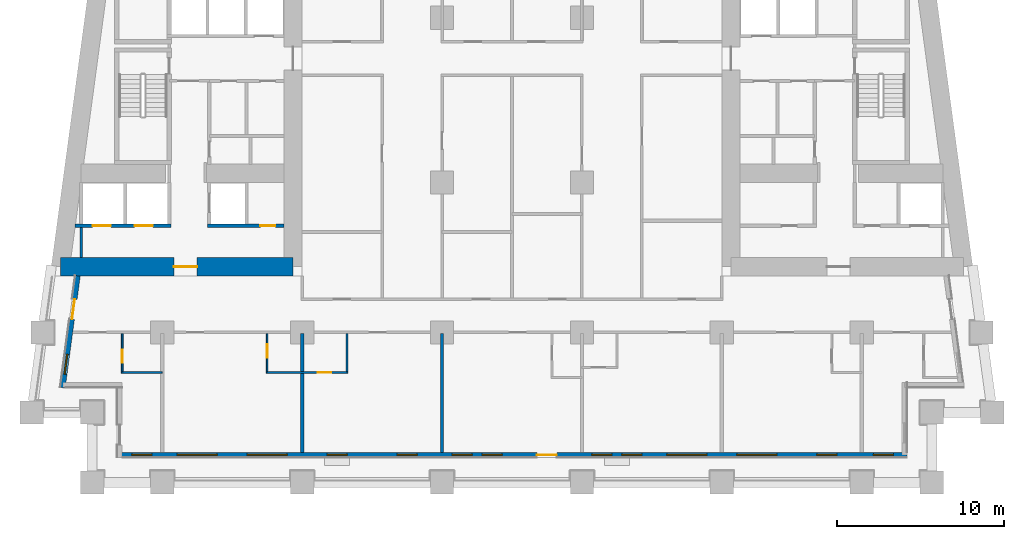
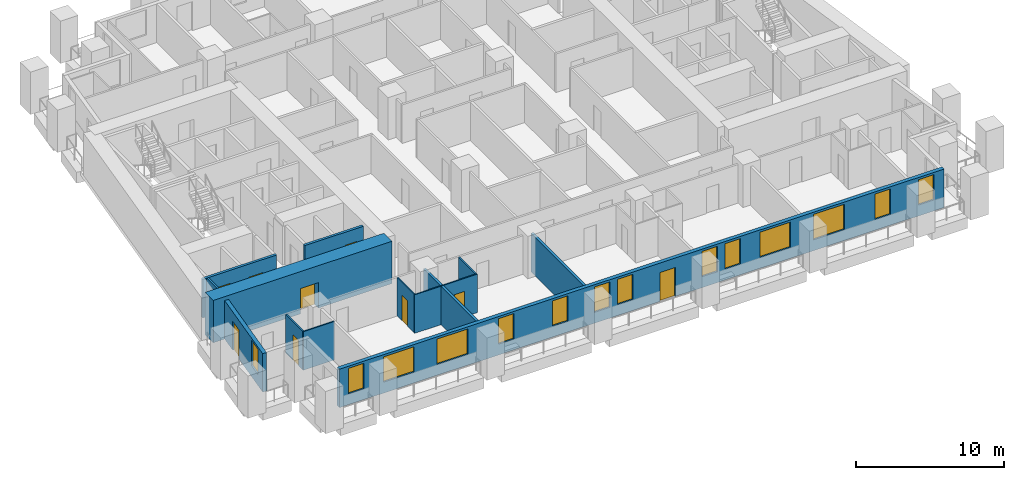
# One storey, part 2 of 13: 14 windows, 13 walls, 9 doors, 23 openings.
"""IFC4 building model written with IfcOpenShell, lengths in metres."""

from ifc_helpers import new_model, si_unit, direction, frame, frame_2d, origin, place, context, subcontext, project, spatial, rectangle, extrude, material, layer, layer_set, type_object, element, fill, save


model = new_model("IFC4")

# Units and contexts
model_context = context("Model", 3, precision=1e-05, world=origin(), true_north=direction((0.0, 1.0)))
body_context = subcontext(model_context, "Body", "Model", "MODEL_VIEW")
ifc_project = project(units=[si_unit("LENGTHUNIT", "METRE"), si_unit("AREAUNIT", "SQUARE_METRE"), si_unit("VOLUMEUNIT", "CUBIC_METRE"), si_unit("PLANEANGLEUNIT", "RADIAN"), si_unit("MASSUNIT", "GRAM", prefix="KILO")], contexts=[model_context])

# Site, building, storey
site_placement = place(None, origin())
site = spatial("IfcSite", under=ifc_project, at=site_placement, CompositionType="ELEMENT")
building_placement = place(site_placement, origin())
building = spatial("IfcBuilding", under=site, at=building_placement, Name="Candeia Pilgrim Tower and Theatre", CompositionType="ELEMENT")
storey_placement = place(building_placement, frame((0.0, 0.0, 60.0)))
storey = spatial("IfcBuildingStorey", under=building, at=storey_placement, Name="L12", CompositionType="ELEMENT", Elevation=60.0)

# Wall, opening, door
ifc_material_1 = material(Name="Concrete C80/95", Category="concrete")
ifc_layer_1 = layer(ifc_material_1, 1.10009765625)
ifc_layer_set_1 = layer_set([ifc_layer_1], Name="Core wall 1100 C80/95")
wall_type_1 = type_object("IfcWallType", Name="Core wall 1100 C80/95", PredefinedType="SHEAR", material=ifc_layer_set_1)
wall_1_placement = place(storey_placement, frame((100.25, 110.949951171875, 0.0), z_axis=(0.0, 0.0, 1.0), x_axis=(-1.0, 0.0, 0.0)))
wall_1 = element("IfcWall", 1, at=wall_1_placement, inside=storey, type_object=wall_type_1, Name="Core wall W3", PredefinedType="SHEAR", context=body_context, shape_type="SweptSolid", body=[
    extrude(rectangle(XDim=13.95166015625, YDim=1.10009765625, at=frame_2d((6.975830078125, 0.0))), origin(), (0.0, 0.0, 1.0), 3.5),
])
opening_1_placement = place(wall_1_placement, frame((5.74755859375, 0.0, 0.0)))
opening_1 = element("IfcOpeningElement", 2, at=opening_1_placement, cuts=wall_1, Name="Opening L12-D057", PredefinedType="OPENING", context=body_context, shape_type="SweptSolid", body=[
    extrude(rectangle(XDim=1.39990234375, YDim=2.10009765625, at=frame_2d((0.699951171875, 1.050048828125))), frame((0.0, 0.56005859375, 0.0), z_axis=(0.0, -1.0, 0.0), x_axis=(1.0, 0.0, 0.0)), (0.0, 0.0, 1.0), 1.1201171875),
])
ifc_material_2 = material(Name="Steel fire door set", Category="steel")
door_type_1 = type_object("IfcDoorType", Name="D-1400-FD60", OperationType="NOTDEFINED", PredefinedType="DOOR", material=ifc_material_2)
door_1_placement = place(opening_1_placement, origin())
door_1 = element("IfcDoor", 3, at=door_1_placement, inside=storey, type_object=door_type_1, Name="Door L12-D057", OperationType="SINGLE_SWING_LEFT", OverallHeight=2.10009765625, OverallWidth=1.39990234375, PredefinedType="DOOR", context=body_context, shape_type="SweptSolid", body=[
    extrude(rectangle(XDim=1.39990234375, YDim=2.10009765625, at=frame_2d((0.699951171875, 1.050048828125))), frame((0.0, 0.02490234375, 0.0), z_axis=(0.0, -1.0, 0.0), x_axis=(1.0, 0.0, 0.0)), (0.0, 0.0, 1.0), 0.050048828125),
])
fill(opening_1, door_1)

# Wall, openings, door, windows
ifc_material_3 = material(Name="Ceramic block masonry", Category="masonry")
ifc_layer_2 = layer(ifc_material_3, 0.300048828125)
ifc_layer_set_2 = layer_set([ifc_layer_2], Name="EW1 glazing-line wall 300")
wall_type_2 = type_object("IfcWallType", Name="EW1 glazing-line wall 300", PredefinedType="SOLIDWALL", material=ifc_layer_set_2)
wall_2_placement = place(storey_placement, frame((89.85009765625, 99.64990234375, 0.0), z_axis=(0.0, 0.0, 1.0), x_axis=(1.0, 0.0, 0.0)))
wall_2 = element("IfcWall", 4, at=wall_2_placement, inside=storey, type_object=wall_type_2, Name="External wall L12-0.0", PredefinedType="SOLIDWALL", context=body_context, shape_type="SweptSolid", body=[
    extrude(rectangle(XDim=47.25, YDim=0.300048828125, at=frame_2d((23.625, 0.0))), origin(), (0.0, 0.0, 1.0), 3.179931640625),
])
opening_2_placement = place(wall_2_placement, frame((0.72509765625, 0.0, 0.89990234375)))
opening_2 = element("IfcOpeningElement", 5, at=opening_2_placement, cuts=wall_2, Name="Opening W-B", PredefinedType="OPENING", context=body_context, shape_type="SweptSolid", body=[
    extrude(rectangle(XDim=1.199951171875, YDim=2.10009765625, at=frame_2d((0.60009765625, 1.050048828125))), frame((0.0, 0.16015625, 0.0), z_axis=(0.0, -1.0, 0.0), x_axis=(1.0, 0.0, 0.0)), (0.0, 0.0, 1.0), 0.320068359375),
])
opening_3_placement = place(wall_2_placement, frame((3.449951171875, 0.0, 0.89990234375)))
opening_3 = element("IfcOpeningElement", 6, at=opening_3_placement, cuts=wall_2, Name="Opening W-A", PredefinedType="OPENING", context=body_context, shape_type="SweptSolid", body=[
    extrude(rectangle(XDim=2.39990234375, YDim=2.10009765625, at=frame_2d((1.199951171875, 1.050048828125))), frame((0.0, 0.16015625, 0.0), z_axis=(0.0, -1.0, 0.0), x_axis=(1.0, 0.0, 0.0)), (0.0, 0.0, 1.0), 0.320068359375),
])
opening_4_placement = place(wall_2_placement, frame((7.64990234375, 0.0, 0.89990234375)))
opening_4 = element("IfcOpeningElement", 7, at=opening_4_placement, cuts=wall_2, Name="Opening W-A", PredefinedType="OPENING", context=body_context, shape_type="SweptSolid", body=[
    extrude(rectangle(XDim=2.39990234375, YDim=2.10009765625, at=frame_2d((1.199951171875, 1.050048828125))), frame((0.0, 0.16015625, 0.0), z_axis=(0.0, -1.0, 0.0), x_axis=(1.0, 0.0, 0.0)), (0.0, 0.0, 1.0), 0.320068359375),
])
opening_5_placement = place(wall_2_placement, frame((12.449951171875, 0.0, 0.89990234375)))
opening_5 = element("IfcOpeningElement", 8, at=opening_5_placement, cuts=wall_2, Name="Opening W-B", PredefinedType="OPENING", context=body_context, shape_type="SweptSolid", body=[
    extrude(rectangle(XDim=1.199951171875, YDim=2.10009765625, at=frame_2d((0.60009765625, 1.050048828125))), frame((0.0, 0.16015625, 0.0), z_axis=(0.0, -1.0, 0.0), x_axis=(1.0, 0.0, 0.0)), (0.0, 0.0, 1.0), 0.320068359375),
])
opening_6_placement = place(wall_2_placement, frame((16.64990234375, 0.0, 0.89990234375)))
opening_6 = element("IfcOpeningElement", 9, at=opening_6_placement, cuts=wall_2, Name="Opening W-B", PredefinedType="OPENING", context=body_context, shape_type="SweptSolid", body=[
    extrude(rectangle(XDim=1.199951171875, YDim=2.10009765625, at=frame_2d((0.60009765625, 1.050048828125))), frame((0.0, 0.16015625, 0.0), z_axis=(0.0, -1.0, 0.0), x_axis=(1.0, 0.0, 0.0)), (0.0, 0.0, 1.0), 0.320068359375),
])
opening_7_placement = place(wall_2_placement, frame((19.949951171875, 0.0, 0.89990234375)))
opening_7 = element("IfcOpeningElement", 10, at=opening_7_placement, cuts=wall_2, Name="Opening W-B", PredefinedType="OPENING", context=body_context, shape_type="SweptSolid", body=[
    extrude(rectangle(XDim=1.199951171875, YDim=2.10009765625, at=frame_2d((0.60009765625, 1.050048828125))), frame((0.0, 0.16015625, 0.0), z_axis=(0.0, -1.0, 0.0), x_axis=(1.0, 0.0, 0.0)), (0.0, 0.0, 1.0), 0.320068359375),
])
opening_8_placement = place(wall_2_placement, frame((21.75, 0.0, 0.89990234375)))
opening_8 = element("IfcOpeningElement", 11, at=opening_8_placement, cuts=wall_2, Name="Opening W-B", PredefinedType="OPENING", context=body_context, shape_type="SweptSolid", body=[
    extrude(rectangle(XDim=1.199951171875, YDim=2.10009765625, at=frame_2d((0.60009765625, 1.050048828125))), frame((0.0, 0.16015625, 0.0), z_axis=(0.0, -1.0, 0.0), x_axis=(1.0, 0.0, 0.0)), (0.0, 0.0, 1.0), 0.320068359375),
])
opening_9_placement = place(wall_2_placement, frame((25.050048828125, 0.0, 0.0)))
opening_9 = element("IfcOpeningElement", 12, at=opening_9_placement, cuts=wall_2, Name="Opening L12-ED138", PredefinedType="OPENING", context=body_context, shape_type="SweptSolid", body=[
    extrude(rectangle(XDim=1.199951171875, YDim=2.39990234375, at=frame_2d((0.60009765625, 1.199951171875))), frame((0.0, 0.16015625, 0.0), z_axis=(0.0, -1.0, 0.0), x_axis=(1.0, 0.0, 0.0)), (0.0, 0.0, 1.0), 0.320068359375),
])
opening_10_placement = place(wall_2_placement, frame((28.35009765625, 0.0, 0.89990234375)))
opening_10 = element("IfcOpeningElement", 13, at=opening_10_placement, cuts=wall_2, Name="Opening W-B", PredefinedType="OPENING", context=body_context, shape_type="SweptSolid", body=[
    extrude(rectangle(XDim=1.199951171875, YDim=2.10009765625, at=frame_2d((0.60009765625, 1.050048828125))), frame((0.0, 0.16015625, 0.0), z_axis=(0.0, -1.0, 0.0), x_axis=(1.0, 0.0, 0.0)), (0.0, 0.0, 1.0), 0.320068359375),
])
opening_11_placement = place(wall_2_placement, frame((30.14990234375, 0.0, 0.89990234375)))
opening_11 = element("IfcOpeningElement", 14, at=opening_11_placement, cuts=wall_2, Name="Opening W-B", PredefinedType="OPENING", context=body_context, shape_type="SweptSolid", body=[
    extrude(rectangle(XDim=1.199951171875, YDim=2.10009765625, at=frame_2d((0.60009765625, 1.050048828125))), frame((0.0, 0.16015625, 0.0), z_axis=(0.0, -1.0, 0.0), x_axis=(1.0, 0.0, 0.0)), (0.0, 0.0, 1.0), 0.320068359375),
])
opening_12_placement = place(wall_2_placement, frame((32.85009765625, 0.0, 0.89990234375)))
opening_12 = element("IfcOpeningElement", 15, at=opening_12_placement, cuts=wall_2, Name="Opening W-A", PredefinedType="OPENING", context=body_context, shape_type="SweptSolid", body=[
    extrude(rectangle(XDim=2.39990234375, YDim=2.10009765625, at=frame_2d((1.199951171875, 1.050048828125))), frame((0.0, 0.16015625, 0.0), z_axis=(0.0, -1.0, 0.0), x_axis=(1.0, 0.0, 0.0)), (0.0, 0.0, 1.0), 0.320068359375),
])
opening_13_placement = place(wall_2_placement, frame((37.050048828125, 0.0, 0.89990234375)))
opening_13 = element("IfcOpeningElement", 16, at=opening_13_placement, cuts=wall_2, Name="Opening W-A", PredefinedType="OPENING", context=body_context, shape_type="SweptSolid", body=[
    extrude(rectangle(XDim=2.39990234375, YDim=2.10009765625, at=frame_2d((1.199951171875, 1.050048828125))), frame((0.0, 0.16015625, 0.0), z_axis=(0.0, -1.0, 0.0), x_axis=(1.0, 0.0, 0.0)), (0.0, 0.0, 1.0), 0.320068359375),
])
opening_14_placement = place(wall_2_placement, frame((41.85009765625, 0.0, 0.89990234375)))
opening_14 = element("IfcOpeningElement", 17, at=opening_14_placement, cuts=wall_2, Name="Opening W-B", PredefinedType="OPENING", context=body_context, shape_type="SweptSolid", body=[
    extrude(rectangle(XDim=1.199951171875, YDim=2.10009765625, at=frame_2d((0.60009765625, 1.050048828125))), frame((0.0, 0.16015625, 0.0), z_axis=(0.0, -1.0, 0.0), x_axis=(1.0, 0.0, 0.0)), (0.0, 0.0, 1.0), 0.320068359375),
])
opening_15_placement = place(wall_2_placement, frame((45.25, 0.0, 0.89990234375)))
opening_15 = element("IfcOpeningElement", 18, at=opening_15_placement, cuts=wall_2, Name="Opening W-B", PredefinedType="OPENING", context=body_context, shape_type="SweptSolid", body=[
    extrude(rectangle(XDim=1.199951171875, YDim=2.10009765625, at=frame_2d((0.60009765625, 1.050048828125))), frame((0.0, 0.16015625, 0.0), z_axis=(0.0, -1.0, 0.0), x_axis=(1.0, 0.0, 0.0)), (0.0, 0.0, 1.0), 0.320068359375),
])
ifc_material_4 = material(Name="Aluminium framed glazed door", Category="aluminium")
door_type_2 = type_object("IfcDoorType", Name="Loggia door 1200x2400", OperationType="DOUBLE_DOOR_SINGLE_SWING", PredefinedType="DOOR", material=ifc_material_4)
door_2_placement = place(opening_9_placement, origin())
door_2 = element("IfcDoor", 19, at=door_2_placement, inside=storey, type_object=door_type_2, Name="Loggia door L12-ED138", OperationType="DOUBLE_DOOR_SINGLE_SWING", OverallHeight=2.39990234375, OverallWidth=1.199951171875, PredefinedType="DOOR", context=body_context, shape_type="SweptSolid", body=[
    extrude(rectangle(XDim=1.199951171875, YDim=2.39990234375, at=frame_2d((0.60009765625, 1.199951171875))), frame((0.0, 0.02490234375, 0.0), z_axis=(0.0, -1.0, 0.0), x_axis=(1.0, 0.0, 0.0)), (0.0, 0.0, 1.0), 0.050048828125),
])
fill(opening_9, door_2)
ifc_material_5 = material(Name="Aluminium framed double glazing", Category="aluminium")
window_type_1 = type_object("IfcWindowType", Name="W-A window 2400x2100", PartitioningType="DOUBLE_PANEL_VERTICAL", PredefinedType="WINDOW", material=ifc_material_5)
window_1_placement = place(opening_3_placement, origin())
window_1 = element("IfcWindow", 20, at=window_1_placement, inside=storey, type_object=window_type_1, Name="Window W-A L12", OverallHeight=2.10009765625, OverallWidth=2.39990234375, PartitioningType="SINGLE_PANEL", PredefinedType="WINDOW", context=body_context, shape_type="SweptSolid", body=[
    extrude(rectangle(XDim=2.39990234375, YDim=2.10009765625, at=frame_2d((1.199951171875, 1.050048828125))), frame((0.0, 0.030029296875, 0.0), z_axis=(0.0, -1.0, 0.0), x_axis=(1.0, 0.0, 0.0)), (0.0, 0.0, 1.0), 0.06005859375),
])
fill(opening_3, window_1)
window_2_placement = place(opening_4_placement, origin())
window_2 = element("IfcWindow", 21, at=window_2_placement, inside=storey, type_object=window_type_1, Name="Window W-A L12", OverallHeight=2.10009765625, OverallWidth=2.39990234375, PartitioningType="SINGLE_PANEL", PredefinedType="WINDOW", context=body_context, shape_type="SweptSolid", body=[
    extrude(rectangle(XDim=2.39990234375, YDim=2.10009765625, at=frame_2d((1.199951171875, 1.050048828125))), frame((0.0, 0.030029296875, 0.0), z_axis=(0.0, -1.0, 0.0), x_axis=(1.0, 0.0, 0.0)), (0.0, 0.0, 1.0), 0.06005859375),
])
fill(opening_4, window_2)
window_3_placement = place(opening_12_placement, origin())
window_3 = element("IfcWindow", 22, at=window_3_placement, inside=storey, type_object=window_type_1, Name="Window W-A L12", OverallHeight=2.10009765625, OverallWidth=2.39990234375, PartitioningType="SINGLE_PANEL", PredefinedType="WINDOW", context=body_context, shape_type="SweptSolid", body=[
    extrude(rectangle(XDim=2.39990234375, YDim=2.10009765625, at=frame_2d((1.199951171875, 1.050048828125))), frame((0.0, 0.030029296875, 0.0), z_axis=(0.0, -1.0, 0.0), x_axis=(1.0, 0.0, 0.0)), (0.0, 0.0, 1.0), 0.06005859375),
])
fill(opening_12, window_3)
window_4_placement = place(opening_13_placement, origin())
window_4 = element("IfcWindow", 23, at=window_4_placement, inside=storey, type_object=window_type_1, Name="Window W-A L12", OverallHeight=2.10009765625, OverallWidth=2.39990234375, PartitioningType="SINGLE_PANEL", PredefinedType="WINDOW", context=body_context, shape_type="SweptSolid", body=[
    extrude(rectangle(XDim=2.39990234375, YDim=2.10009765625, at=frame_2d((1.199951171875, 1.050048828125))), frame((0.0, 0.030029296875, 0.0), z_axis=(0.0, -1.0, 0.0), x_axis=(1.0, 0.0, 0.0)), (0.0, 0.0, 1.0), 0.06005859375),
])
fill(opening_13, window_4)
window_type_2 = type_object("IfcWindowType", Name="W-B window 1200x2100", PartitioningType="SINGLE_PANEL", PredefinedType="WINDOW", material=ifc_material_5)
window_5_placement = place(opening_2_placement, origin())
window_5 = element("IfcWindow", 24, at=window_5_placement, inside=storey, type_object=window_type_2, Name="Window W-B L12", OverallHeight=2.10009765625, OverallWidth=1.199951171875, PartitioningType="SINGLE_PANEL", PredefinedType="WINDOW", context=body_context, shape_type="SweptSolid", body=[
    extrude(rectangle(XDim=1.199951171875, YDim=2.10009765625, at=frame_2d((0.60009765625, 1.050048828125))), frame((0.0, 0.030029296875, 0.0), z_axis=(0.0, -1.0, 0.0), x_axis=(1.0, 0.0, 0.0)), (0.0, 0.0, 1.0), 0.06005859375),
])
fill(opening_2, window_5)
window_6_placement = place(opening_5_placement, origin())
window_6 = element("IfcWindow", 25, at=window_6_placement, inside=storey, type_object=window_type_2, Name="Window W-B L12", OverallHeight=2.10009765625, OverallWidth=1.199951171875, PartitioningType="SINGLE_PANEL", PredefinedType="WINDOW", context=body_context, shape_type="SweptSolid", body=[
    extrude(rectangle(XDim=1.199951171875, YDim=2.10009765625, at=frame_2d((0.60009765625, 1.050048828125))), frame((0.0, 0.030029296875, 0.0), z_axis=(0.0, -1.0, 0.0), x_axis=(1.0, 0.0, 0.0)), (0.0, 0.0, 1.0), 0.06005859375),
])
fill(opening_5, window_6)
window_7_placement = place(opening_6_placement, origin())
window_7 = element("IfcWindow", 26, at=window_7_placement, inside=storey, type_object=window_type_2, Name="Window W-B L12", OverallHeight=2.10009765625, OverallWidth=1.199951171875, PartitioningType="SINGLE_PANEL", PredefinedType="WINDOW", context=body_context, shape_type="SweptSolid", body=[
    extrude(rectangle(XDim=1.199951171875, YDim=2.10009765625, at=frame_2d((0.60009765625, 1.050048828125))), frame((0.0, 0.030029296875, 0.0), z_axis=(0.0, -1.0, 0.0), x_axis=(1.0, 0.0, 0.0)), (0.0, 0.0, 1.0), 0.06005859375),
])
fill(opening_6, window_7)
window_8_placement = place(opening_7_placement, origin())
window_8 = element("IfcWindow", 27, at=window_8_placement, inside=storey, type_object=window_type_2, Name="Window W-B L12", OverallHeight=2.10009765625, OverallWidth=1.199951171875, PartitioningType="SINGLE_PANEL", PredefinedType="WINDOW", context=body_context, shape_type="SweptSolid", body=[
    extrude(rectangle(XDim=1.199951171875, YDim=2.10009765625, at=frame_2d((0.60009765625, 1.050048828125))), frame((0.0, 0.030029296875, 0.0), z_axis=(0.0, -1.0, 0.0), x_axis=(1.0, 0.0, 0.0)), (0.0, 0.0, 1.0), 0.06005859375),
])
fill(opening_7, window_8)
window_9_placement = place(opening_8_placement, origin())
window_9 = element("IfcWindow", 28, at=window_9_placement, inside=storey, type_object=window_type_2, Name="Window W-B L12", OverallHeight=2.10009765625, OverallWidth=1.199951171875, PartitioningType="SINGLE_PANEL", PredefinedType="WINDOW", context=body_context, shape_type="SweptSolid", body=[
    extrude(rectangle(XDim=1.199951171875, YDim=2.10009765625, at=frame_2d((0.60009765625, 1.050048828125))), frame((0.0, 0.030029296875, 0.0), z_axis=(0.0, -1.0, 0.0), x_axis=(1.0, 0.0, 0.0)), (0.0, 0.0, 1.0), 0.06005859375),
])
fill(opening_8, window_9)
window_10_placement = place(opening_10_placement, origin())
window_10 = element("IfcWindow", 29, at=window_10_placement, inside=storey, type_object=window_type_2, Name="Window W-B L12", OverallHeight=2.10009765625, OverallWidth=1.199951171875, PartitioningType="SINGLE_PANEL", PredefinedType="WINDOW", context=body_context, shape_type="SweptSolid", body=[
    extrude(rectangle(XDim=1.199951171875, YDim=2.10009765625, at=frame_2d((0.60009765625, 1.050048828125))), frame((0.0, 0.030029296875, 0.0), z_axis=(0.0, -1.0, 0.0), x_axis=(1.0, 0.0, 0.0)), (0.0, 0.0, 1.0), 0.06005859375),
])
fill(opening_10, window_10)
window_11_placement = place(opening_11_placement, origin())
window_11 = element("IfcWindow", 30, at=window_11_placement, inside=storey, type_object=window_type_2, Name="Window W-B L12", OverallHeight=2.10009765625, OverallWidth=1.199951171875, PartitioningType="SINGLE_PANEL", PredefinedType="WINDOW", context=body_context, shape_type="SweptSolid", body=[
    extrude(rectangle(XDim=1.199951171875, YDim=2.10009765625, at=frame_2d((0.60009765625, 1.050048828125))), frame((0.0, 0.030029296875, 0.0), z_axis=(0.0, -1.0, 0.0), x_axis=(1.0, 0.0, 0.0)), (0.0, 0.0, 1.0), 0.06005859375),
])
fill(opening_11, window_11)
window_12_placement = place(opening_14_placement, origin())
window_12 = element("IfcWindow", 31, at=window_12_placement, inside=storey, type_object=window_type_2, Name="Window W-B L12", OverallHeight=2.10009765625, OverallWidth=1.199951171875, PartitioningType="SINGLE_PANEL", PredefinedType="WINDOW", context=body_context, shape_type="SweptSolid", body=[
    extrude(rectangle(XDim=1.199951171875, YDim=2.10009765625, at=frame_2d((0.60009765625, 1.050048828125))), frame((0.0, 0.030029296875, 0.0), z_axis=(0.0, -1.0, 0.0), x_axis=(1.0, 0.0, 0.0)), (0.0, 0.0, 1.0), 0.06005859375),
])
fill(opening_14, window_12)
window_13_placement = place(opening_15_placement, origin())
window_13 = element("IfcWindow", 32, at=window_13_placement, inside=storey, type_object=window_type_2, Name="Window W-B L12", OverallHeight=2.10009765625, OverallWidth=1.199951171875, PartitioningType="SINGLE_PANEL", PredefinedType="WINDOW", context=body_context, shape_type="SweptSolid", body=[
    extrude(rectangle(XDim=1.199951171875, YDim=2.10009765625, at=frame_2d((0.60009765625, 1.050048828125))), frame((0.0, 0.030029296875, 0.0), z_axis=(0.0, -1.0, 0.0), x_axis=(1.0, 0.0, 0.0)), (0.0, 0.0, 1.0), 0.06005859375),
])
fill(opening_15, window_13)

# Wall, openings, door, window
wall_3_placement = place(storey_placement, frame((87.334228515625, 110.39990234375, 0.0), z_axis=(0.0, 0.0, 1.0), x_axis=(-0.133437175554, -0.991057273915, 0.0)))
wall_3 = element("IfcWall", 33, at=wall_3_placement, inside=storey, type_object=wall_type_2, Name="External wall L12-9.1", PredefinedType="SOLIDWALL", context=body_context, shape_type="SweptSolid", body=[
    extrude(rectangle(XDim=6.780517578125, YDim=0.300048828125, at=frame_2d((3.39013671875, 0.0))), origin(), (0.0, 0.0, 1.0), 3.179931640625),
])
opening_16_placement = place(wall_3_placement, frame((1.41796875, 0.0, 0.0)))
opening_16 = element("IfcOpeningElement", 34, at=opening_16_placement, cuts=wall_3, Name="Opening L12-ED145", PredefinedType="OPENING", context=body_context, shape_type="SweptSolid", body=[
    extrude(rectangle(XDim=1.199951171875, YDim=2.39990234375, at=frame_2d((0.60009765625, 1.199951171875))), frame((0.0, 0.16015625, 0.0), z_axis=(0.0, -1.0, 0.0), x_axis=(1.0, 0.0, 0.0)), (0.0, 0.0, 1.0), 0.320068359375),
])
opening_17_placement = place(wall_3_placement, frame((4.75830078125, 0.0, 0.89990234375)))
opening_17 = element("IfcOpeningElement", 35, at=opening_17_placement, cuts=wall_3, Name="Opening W-B", PredefinedType="OPENING", context=body_context, shape_type="SweptSolid", body=[
    extrude(rectangle(XDim=1.199951171875, YDim=2.10009765625, at=frame_2d((0.60009765625, 1.050048828125))), frame((0.0, 0.16015625, 0.0), z_axis=(0.0, -1.0, 0.0), x_axis=(1.0, 0.0, 0.0)), (0.0, 0.0, 1.0), 0.320068359375),
])
door_3_placement = place(opening_16_placement, origin())
door_3 = element("IfcDoor", 36, at=door_3_placement, inside=storey, type_object=door_type_2, Name="Loggia door L12-ED145", OperationType="DOUBLE_DOOR_SINGLE_SWING", OverallHeight=2.39990234375, OverallWidth=1.199951171875, PredefinedType="DOOR", context=body_context, shape_type="SweptSolid", body=[
    extrude(rectangle(XDim=1.199951171875, YDim=2.39990234375, at=frame_2d((0.60009765625, 1.199951171875))), frame((0.0, 0.02490234375, 0.0), z_axis=(0.0, -1.0, 0.0), x_axis=(1.0, 0.0, 0.0)), (0.0, 0.0, 1.0), 0.050048828125),
])
fill(opening_16, door_3)
window_14_placement = place(opening_17_placement, origin())
window_14 = element("IfcWindow", 37, at=window_14_placement, inside=storey, type_object=window_type_2, Name="Window W-B L12", OverallHeight=2.10009765625, OverallWidth=1.199951171875, PartitioningType="SINGLE_PANEL", PredefinedType="WINDOW", context=body_context, shape_type="SweptSolid", body=[
    extrude(rectangle(XDim=1.199951171875, YDim=2.10009765625, at=frame_2d((0.60009765625, 1.050048828125))), frame((0.0, 0.030029296875, 0.0), z_axis=(0.0, -1.0, 0.0), x_axis=(1.0, 0.0, 0.0)), (0.0, 0.0, 1.0), 0.06005859375),
])
fill(opening_17, window_14)

# Wall
ifc_material_6 = material(Name="Gypsum board partition on steel studs", Category="steel")
ifc_layer_3 = layer(ifc_material_6, 0.10009765625)
ifc_layer_set_3 = layer_set([ifc_layer_3], Name="PW-100 room partition")
wall_type_3 = type_object("IfcWallType", Name="PW-100 room partition", PredefinedType="PARTITIONING", material=ifc_layer_set_3)
wall_4_placement = place(storey_placement, frame((89.949951171875, 104.60009765625, 0.0), z_axis=(0.0, 0.0, 1.0), x_axis=(1.0, 0.0, 0.0)))
element("IfcWall", 38, at=wall_4_placement, inside=storey, type_object=wall_type_3, Name="Room partition L12-003", PredefinedType="PARTITIONING", context=body_context, shape_type="SweptSolid", body=[
    extrude(rectangle(XDim=2.449951171875, YDim=0.10009765625, at=frame_2d((1.22509765625, 0.0))), origin(), (0.0, 0.0, 1.0), 3.179931640625),
])

# Wall, opening, door
wall_5_placement = place(storey_placement, frame((98.64990234375, 104.60009765625, 0.0), z_axis=(0.0, 0.0, 1.0), x_axis=(1.0, 0.0, 0.0)))
wall_5 = element("IfcWall", 39, at=wall_5_placement, inside=storey, type_object=wall_type_3, Name="Room partition L12-004", PredefinedType="PARTITIONING", context=body_context, shape_type="SweptSolid", body=[
    extrude(rectangle(XDim=4.900146484375, YDim=0.10009765625, at=frame_2d((2.4501953125, 0.0))), origin(), (0.0, 0.0, 1.0), 3.179931640625),
])
opening_18_placement = place(wall_5_placement, frame((3.10009765625, 0.0, 0.0)))
opening_18 = element("IfcOpeningElement", 40, at=opening_18_placement, cuts=wall_5, Name="Opening L12-D021", PredefinedType="OPENING", context=body_context, shape_type="SweptSolid", body=[
    extrude(rectangle(XDim=0.800048828125, YDim=2.10009765625, at=frame_2d((0.39990234375, 1.050048828125))), frame((0.0, 0.06005859375, 0.0), z_axis=(0.0, -1.0, 0.0), x_axis=(1.0, 0.0, 0.0)), (0.0, 0.0, 1.0), 0.1201171875),
])
ifc_material_7 = material(Name="Timber door leaf", Category="wood")
door_type_3 = type_object("IfcDoorType", Name="D-800", OperationType="NOTDEFINED", PredefinedType="DOOR", material=ifc_material_7)
door_4_placement = place(opening_18_placement, origin())
door_4 = element("IfcDoor", 41, at=door_4_placement, inside=storey, type_object=door_type_3, Name="Door L12-D021", OperationType="SINGLE_SWING_LEFT", OverallHeight=2.10009765625, OverallWidth=0.800048828125, PredefinedType="DOOR", context=body_context, shape_type="SweptSolid", body=[
    extrude(rectangle(XDim=0.800048828125, YDim=2.10009765625, at=frame_2d((0.39990234375, 1.050048828125))), frame((0.0, 0.02490234375, 0.0), z_axis=(0.0, -1.0, 0.0), x_axis=(1.0, 0.0, 0.0)), (0.0, 0.0, 1.0), 0.050048828125),
])
fill(opening_18, door_4)

wall_6_placement = place(storey_placement, frame((90.0, 104.64990234375, 0.0), z_axis=(0.0, 0.0, 1.0), x_axis=(0.0, 1.0, 0.0)))
wall_6 = element("IfcWall", 42, at=wall_6_placement, inside=storey, type_object=wall_type_3, Name="Room partition L12-057", PredefinedType="PARTITIONING", context=body_context, shape_type="SweptSolid", body=[
    extrude(rectangle(XDim=2.275146484375, YDim=0.10009765625, at=frame_2d((1.1376953125, 0.0))), origin(), (0.0, 0.0, 1.0), 3.179931640625),
])
opening_19_placement = place(wall_6_placement, frame((0.52490234375, 0.0, 0.0)))
opening_19 = element("IfcOpeningElement", 43, at=opening_19_placement, cuts=wall_6, Name="Opening L12-D017", PredefinedType="OPENING", context=body_context, shape_type="SweptSolid", body=[
    extrude(rectangle(XDim=0.800048828125, YDim=2.10009765625, at=frame_2d((0.39990234375, 1.050048828125))), frame((0.0, 0.06005859375, 0.0), z_axis=(0.0, -1.0, 0.0), x_axis=(1.0, 0.0, 0.0)), (0.0, 0.0, 1.0), 0.1201171875),
])
door_5_placement = place(opening_19_placement, origin())
door_5 = element("IfcDoor", 44, at=door_5_placement, inside=storey, type_object=door_type_3, Name="Door L12-D017", OperationType="SINGLE_SWING_LEFT", OverallHeight=2.10009765625, OverallWidth=0.800048828125, PredefinedType="DOOR", context=body_context, shape_type="SweptSolid", body=[
    extrude(rectangle(XDim=0.800048828125, YDim=2.10009765625, at=frame_2d((0.39990234375, 1.050048828125))), frame((0.0, 0.02490234375, 0.0), z_axis=(0.0, -1.0, 0.0), x_axis=(1.0, 0.0, 0.0)), (0.0, 0.0, 1.0), 0.050048828125),
])
fill(opening_19, door_5)

wall_7_placement = place(storey_placement, frame((98.699951171875, 104.64990234375, 0.0), z_axis=(0.0, 0.0, 1.0), x_axis=(0.0, 1.0, 0.0)))
wall_7 = element("IfcWall", 45, at=wall_7_placement, inside=storey, type_object=wall_type_3, Name="Room partition L12-075", PredefinedType="PARTITIONING", context=body_context, shape_type="SweptSolid", body=[
    extrude(rectangle(XDim=2.275146484375, YDim=0.10009765625, at=frame_2d((1.1376953125, 0.0))), origin(), (0.0, 0.0, 1.0), 3.179931640625),
])
opening_20_placement = place(wall_7_placement, frame((0.840087890625, 0.0, 0.0)))
opening_20 = element("IfcOpeningElement", 46, at=opening_20_placement, cuts=wall_7, Name="Opening L12-D019", PredefinedType="OPENING", context=body_context, shape_type="SweptSolid", body=[
    extrude(rectangle(XDim=0.800048828125, YDim=2.10009765625, at=frame_2d((0.39990234375, 1.050048828125))), frame((0.0, 0.06005859375, 0.0), z_axis=(0.0, -1.0, 0.0), x_axis=(1.0, 0.0, 0.0)), (0.0, 0.0, 1.0), 0.1201171875),
])
door_6_placement = place(opening_20_placement, origin())
door_6 = element("IfcDoor", 47, at=door_6_placement, inside=storey, type_object=door_type_3, Name="Door L12-D019", OperationType="SINGLE_SWING_LEFT", OverallHeight=2.10009765625, OverallWidth=0.800048828125, PredefinedType="DOOR", context=body_context, shape_type="SweptSolid", body=[
    extrude(rectangle(XDim=0.800048828125, YDim=2.10009765625, at=frame_2d((0.39990234375, 1.050048828125))), frame((0.0, 0.02490234375, 0.0), z_axis=(0.0, -1.0, 0.0), x_axis=(1.0, 0.0, 0.0)), (0.0, 0.0, 1.0), 0.050048828125),
])
fill(opening_20, door_6)

# Walls
wall_8_placement = place(storey_placement, frame((103.5, 104.64990234375, 0.0), z_axis=(0.0, 0.0, 1.0), x_axis=(0.0, 1.0, 0.0)))
element("IfcWall", 48, at=wall_8_placement, inside=storey, type_object=wall_type_3, Name="Room partition L12-080", PredefinedType="PARTITIONING", context=body_context, shape_type="SweptSolid", body=[
    extrude(rectangle(XDim=2.275146484375, YDim=0.10009765625, at=frame_2d((1.1376953125, 0.0))), origin(), (0.0, 0.0, 1.0), 3.179931640625),
])
ifc_layer_4 = layer(ifc_material_6, 0.14990234375)
ifc_layer_set_4 = layer_set([ifc_layer_4], Name="PW-150 lobby wall")
wall_type_4 = type_object("IfcWallType", Name="PW-150 lobby wall", PredefinedType="PARTITIONING", material=ifc_layer_set_4)
wall_9_placement = place(storey_placement, frame((87.530029296875, 111.5, 0.0), z_axis=(0.0, 0.0, 1.0), x_axis=(0.0, 1.0, 0.0)))
element("IfcWall", 49, at=wall_9_placement, inside=storey, type_object=wall_type_4, Name="Lobby wall L12-054", PredefinedType="PARTITIONING", context=body_context, shape_type="SweptSolid", body=[
    extrude(rectangle(XDim=1.800048828125, YDim=0.14990234375, at=frame_2d((0.89990234375, 0.0))), origin(), (0.0, 0.0, 1.0), 3.179931640625),
])
ifc_layer_5 = layer(ifc_material_6, 0.199951171875)
ifc_layer_set_5 = layer_set([ifc_layer_5], Name="PW-200 party wall")
wall_type_5 = type_object("IfcWallType", Name="PW-200 party wall", PredefinedType="PARTITIONING", material=ifc_layer_set_5)
for number, where, z_axis, x_axis, name in (
    (50, (100.800048828125, 99.7900390625, 0.0), (0.0, 0.0, 1.0), (0.0, 1.0, 0.0), "Party wall L12-076"),
    (51, (109.199951171875, 99.7900390625, 0.0), (0.0, 0.0, 1.0), (0.0, 1.0, 0.0), "Party wall L12-085"),
):
    element("IfcWall", number, at=place(storey_placement, frame(where, z_axis=z_axis, x_axis=x_axis)), inside=storey, type_object=wall_type_5, Name=name, PredefinedType="PARTITIONING", context=body_context, shape_type="SweptSolid", body=[
        extrude(rectangle(XDim=7.135009765625, YDim=0.199951171875, at=frame_2d((3.5673828125, 0.0))), origin(), (0.0, 0.0, 1.0), 3.179931640625),
    ])

# Wall, openings, doors
ifc_material_8 = material(Name="Concrete C40/50", Category="concrete")
ifc_layer_6 = layer(ifc_material_8, 0.199951171875)
ifc_layer_set_6 = layer_set([ifc_layer_6], Name="SW-200 shaft wall")
wall_type_6 = type_object("IfcWallType", Name="SW-200 shaft wall", PredefinedType="PARTITIONING", material=ifc_layer_set_6)
wall_10_placement = place(storey_placement, frame((87.153076171875, 113.39990234375, 0.0), z_axis=(0.0, 0.0, 1.0), x_axis=(1.0, 0.0, 0.0)))
wall_10 = element("IfcWall", 52, at=wall_10_placement, inside=storey, type_object=wall_type_6, Name="Shaft wall L12-011", PredefinedType="PARTITIONING", context=body_context, shape_type="SweptSolid", body=[
    extrude(rectangle(XDim=5.77392578125, YDim=0.199951171875, at=frame_2d((2.886962890625, 0.0))), origin(), (0.0, 0.0, 1.0), 3.179931640625),
])
opening_21_placement = place(wall_10_placement, frame((1.06591796875, 0.0, 0.0)))
opening_21 = element("IfcOpeningElement", 53, at=opening_21_placement, cuts=wall_10, Name="Opening L12-LD03", PredefinedType="OPENING", context=body_context, shape_type="SweptSolid", body=[
    extrude(rectangle(XDim=1.10009765625, YDim=2.10009765625, at=frame_2d((0.550048828125, 1.050048828125))), frame((0.0, 0.10986328125, 0.0), z_axis=(0.0, -1.0, 0.0), x_axis=(1.0, 0.0, 0.0)), (0.0, 0.0, 1.0), 0.219970703125),
])
opening_22_placement = place(wall_10_placement, frame((3.587890625, 0.0, 0.0)))
opening_22 = element("IfcOpeningElement", 54, at=opening_22_placement, cuts=wall_10, Name="Opening L12-LD04", PredefinedType="OPENING", context=body_context, shape_type="SweptSolid", body=[
    extrude(rectangle(XDim=1.10009765625, YDim=2.10009765625, at=frame_2d((0.550048828125, 1.050048828125))), frame((0.0, 0.10986328125, 0.0), z_axis=(0.0, -1.0, 0.0), x_axis=(1.0, 0.0, 0.0)), (0.0, 0.0, 1.0), 0.219970703125),
])
ifc_material_9 = material(Name="Glazed aluminium landing door", Category="aluminium")
door_type_4 = type_object("IfcDoorType", Name="LD-1100-EI120", OperationType="SLIDING_TO_LEFT", PredefinedType="DOOR", material=ifc_material_9)
door_7_placement = place(opening_21_placement, origin())
door_7 = element("IfcDoor", 55, at=door_7_placement, inside=storey, type_object=door_type_4, Name="Landing door 03 L12", OperationType="SLIDING_TO_LEFT", OverallHeight=2.10009765625, OverallWidth=1.10009765625, PredefinedType="DOOR", context=body_context, shape_type="SweptSolid", body=[
    extrude(rectangle(XDim=1.10009765625, YDim=2.10009765625, at=frame_2d((0.550048828125, 1.050048828125))), frame((0.0, 0.02490234375, 0.0), z_axis=(0.0, -1.0, 0.0), x_axis=(1.0, 0.0, 0.0)), (0.0, 0.0, 1.0), 0.050048828125),
])
fill(opening_21, door_7)
door_8_placement = place(opening_22_placement, origin())
door_8 = element("IfcDoor", 56, at=door_8_placement, inside=storey, type_object=door_type_4, Name="Landing door 04 L12", OperationType="SLIDING_TO_LEFT", OverallHeight=2.10009765625, OverallWidth=1.10009765625, PredefinedType="DOOR", context=body_context, shape_type="SweptSolid", body=[
    extrude(rectangle(XDim=1.10009765625, YDim=2.10009765625, at=frame_2d((0.550048828125, 1.050048828125))), frame((0.0, 0.02490234375, 0.0), z_axis=(0.0, -1.0, 0.0), x_axis=(1.0, 0.0, 0.0)), (0.0, 0.0, 1.0), 0.050048828125),
])
fill(opening_22, door_8)

# Wall, opening, door
wall_11_placement = place(storey_placement, frame((95.126953125, 113.39990234375, 0.0), z_axis=(0.0, 0.0, 1.0), x_axis=(1.0, 0.0, 0.0)))
wall_11 = element("IfcWall", 57, at=wall_11_placement, inside=storey, type_object=wall_type_6, Name="Shaft wall L12-012", PredefinedType="PARTITIONING", context=body_context, shape_type="SweptSolid", body=[
    extrude(rectangle(XDim=4.572998046875, YDim=0.199951171875, at=frame_2d((2.28662109375, 0.0))), origin(), (0.0, 0.0, 1.0), 3.179931640625),
])
opening_23_placement = place(wall_11_placement, frame((3.1640625, 0.0, 0.0)))
opening_23 = element("IfcOpeningElement", 58, at=opening_23_placement, cuts=wall_11, Name="Opening L12-D007", PredefinedType="OPENING", context=body_context, shape_type="SweptSolid", body=[
    extrude(rectangle(XDim=0.89990234375, YDim=2.10009765625, at=frame_2d((0.449951171875, 1.050048828125))), frame((0.0, 0.10986328125, 0.0), z_axis=(0.0, -1.0, 0.0), x_axis=(1.0, 0.0, 0.0)), (0.0, 0.0, 1.0), 0.219970703125),
])
door_type_5 = type_object("IfcDoorType", Name="D-900-FD60", OperationType="NOTDEFINED", PredefinedType="DOOR", material=ifc_material_2)
door_9_placement = place(opening_23_placement, origin())
door_9 = element("IfcDoor", 59, at=door_9_placement, inside=storey, type_object=door_type_5, Name="Door L12-D007", OperationType="SINGLE_SWING_RIGHT", OverallHeight=2.10009765625, OverallWidth=0.89990234375, PredefinedType="DOOR", context=body_context, shape_type="SweptSolid", body=[
    extrude(rectangle(XDim=0.89990234375, YDim=2.10009765625, at=frame_2d((0.449951171875, 1.050048828125))), frame((0.0, 0.02490234375, 0.0), z_axis=(0.0, -1.0, 0.0), x_axis=(1.0, 0.0, 0.0)), (0.0, 0.0, 1.0), 0.050048828125),
])
fill(opening_23, door_9)

save(model, "model.ifc")
